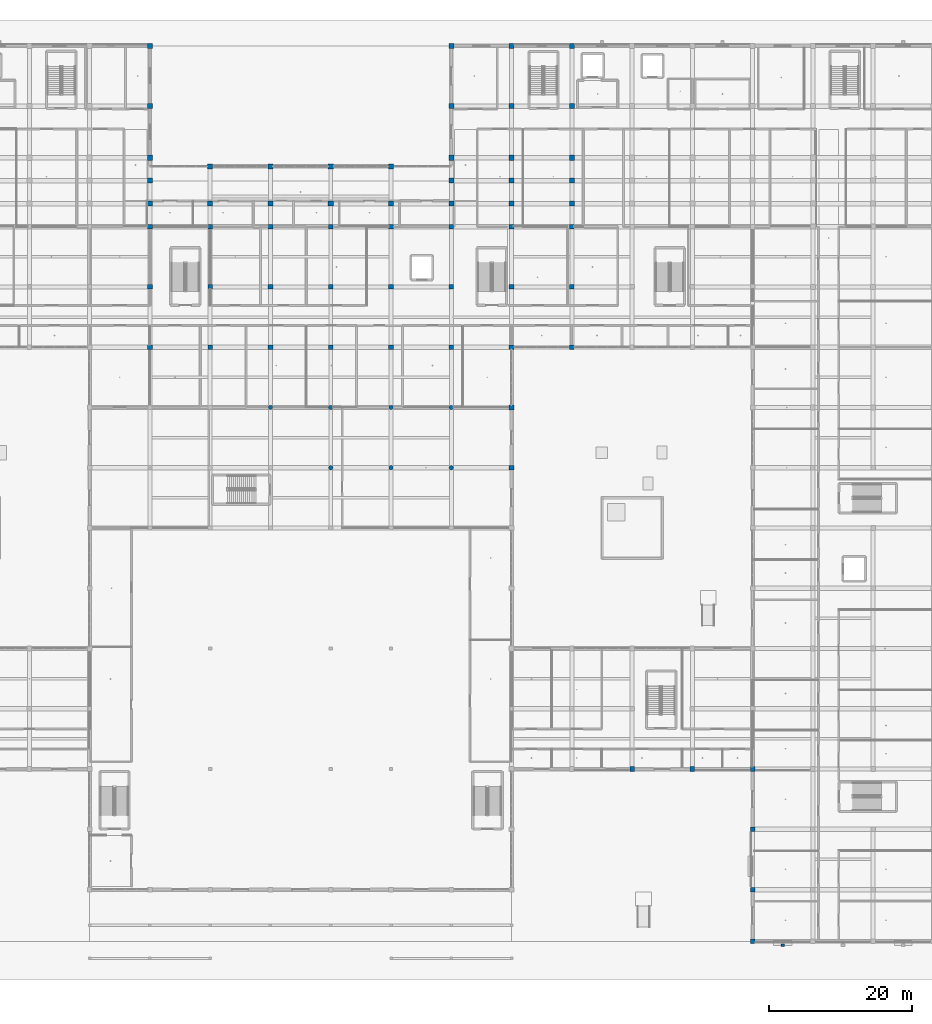
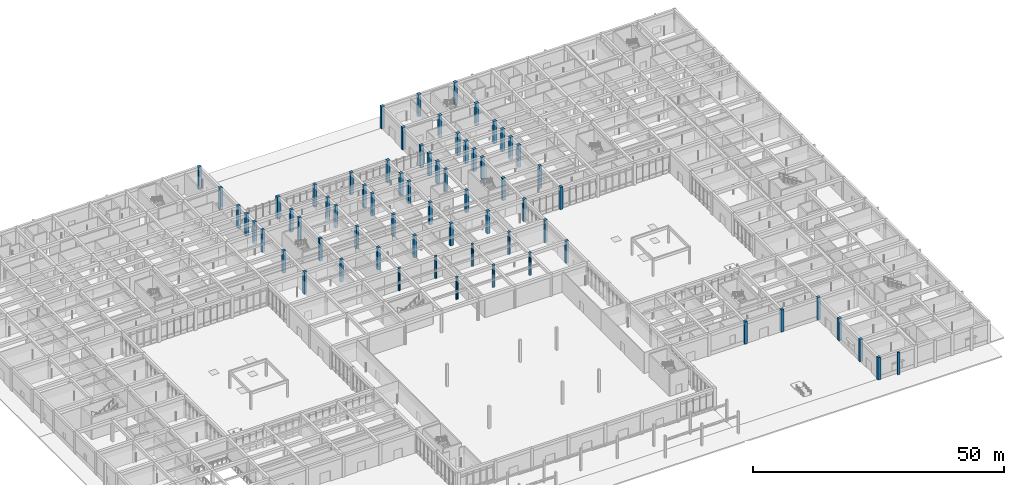
# One storey, part 4 of 167: 68 columns.
"""IFC4 building model written with IfcOpenShell, lengths in metres."""

from ifc_helpers import new_model, si_unit, direction, frame, origin, origin_2d, place, context, subcontext, project, spatial, rectangle, circle, extrude, material, material_profile, profile_set, type_object, element, save


model = new_model("IFC4")

# Units and contexts
model_context = context("Model", 3, precision=1e-05, world=origin(), true_north=direction((0.0, 1.0)))
body_context = subcontext(model_context, "Body", "Model", "MODEL_VIEW")
ifc_project = project(units=[si_unit("LENGTHUNIT", "METRE"), si_unit("AREAUNIT", "SQUARE_METRE"), si_unit("VOLUMEUNIT", "CUBIC_METRE"), si_unit("PLANEANGLEUNIT", "RADIAN"), si_unit("MASSUNIT", "GRAM", prefix="KILO")], contexts=[model_context])

# Site, building, storey
site_placement = place(None, origin())
site = spatial("IfcSite", under=ifc_project, at=site_placement, CompositionType="ELEMENT")
building_placement = place(site_placement, origin())
building = spatial("IfcBuilding", under=site, at=building_placement, Name="Varncliffe General Hospital", CompositionType="ELEMENT")
storey_placement = place(building_placement, origin())
storey = spatial("IfcBuildingStorey", under=building, at=storey_placement, Name="L00", CompositionType="ELEMENT", Elevation=0.0)

# Columns
ifc_material_1 = material(Name="Concrete C40/50 (CSA A23.1 40 MPa)", Category="concrete")
ifc_material_profile_1 = material_profile(ifc_material_1, rectangle(XDim=0.64990234375, YDim=0.64990234375, at=origin_2d()), Name="RC 650x650")
ifc_profile_set_1 = profile_set([ifc_material_profile_1], Name="Concrete C40/50 (CSA A23.1 40 MPa)")
column_type_1 = type_object("IfcColumnType", Name="Column C21 (Ext RC 650x650)", PredefinedType="COLUMN", material=ifc_profile_set_1)
for number, where, z_axis, x_axis, name in (
    (1, (117.60009765625, 66.0, 0.0), (0.0, 0.0, 1.0), (1.0, 0.0, 0.0), "L00 Column C21"),
    (2, (117.60009765625, 74.39990234375, 0.0), (0.0, 0.0, 1.0), (1.0, 0.0, 0.0), "L00 Column C21"),
    (3, (117.60009765625, 82.800048828125, 0.0), (0.0, 0.0, 1.0), (1.0, 0.0, 0.0), "L00 Column C21"),
    (4, (126.0, 82.800048828125, 0.0), (0.0, 0.0, 1.0), (1.0, 0.0, 0.0), "L00 Column C21"),
    (5, (134.39990234375, 24.0, 0.0), (0.0, 0.0, 1.0), (1.0, 0.0, 0.0), "L00 Column C21"),
    (6, (142.800048828125, 24.0, 0.0), (0.0, 0.0, 1.0), (1.0, 0.0, 0.0), "L00 Column C21"),
    (7, (151.199951171875, 0.0, 0.0), (0.0, 0.0, 1.0), (1.0, 0.0, 0.0), "L00 Column C21"),
    (8, (151.199951171875, 7.199951171875, 0.0), (0.0, 0.0, 1.0), (1.0, 0.0, 0.0), "L00 Column C21"),
    (9, (151.199951171875, 15.60009765625, 0.0), (0.0, 0.0, 1.0), (1.0, 0.0, 0.0), "L00 Column C21"),
    (10, (151.199951171875, 24.0, 0.0), (0.0, 0.0, 1.0), (1.0, 0.0, 0.0), "L00 Column C21"),
):
    element("IfcColumn", number, at=place(storey_placement, frame(where, z_axis=z_axis, x_axis=x_axis)), inside=storey, type_object=column_type_1, Name=name, PredefinedType="COLUMN", context=body_context, shape_type="SweptSolid", body=[
        extrude(rectangle(XDim=0.64990234375, YDim=0.64990234375, at=origin_2d()), origin(), (0.0, 0.0, 1.0), 5.39990234375),
    ])
ifc_material_profile_2 = material_profile(ifc_material_1, circle(Radius=0.300048828125, at=origin_2d()), Name="RC D600")
ifc_profile_set_2 = profile_set([ifc_material_profile_2], Name="Concrete C40/50 (CSA A23.1 40 MPa)")
column_type_2 = type_object("IfcColumnType", Name="Column C22 (Int RC D600)", PredefinedType="COLUMN", material=ifc_profile_set_2)
for number, where, z_axis, x_axis, name in (
    (11, (84.0, 74.39990234375, 0.0), (0.0, 0.0, 1.0), (1.0, 0.0, 0.0), "L00 Column C22"),
    (12, (92.39990234375, 66.0, 0.0), (0.0, 0.0, 1.0), (1.0, 0.0, 0.0), "L00 Column C22"),
    (13, (92.39990234375, 74.39990234375, 0.0), (0.0, 0.0, 1.0), (1.0, 0.0, 0.0), "L00 Column C22"),
    (14, (100.800048828125, 66.0, 0.0), (0.0, 0.0, 1.0), (1.0, 0.0, 0.0), "L00 Column C22"),
    (15, (100.800048828125, 74.39990234375, 0.0), (0.0, 0.0, 1.0), (1.0, 0.0, 0.0), "L00 Column C22"),
    (16, (109.199951171875, 66.0, 0.0), (0.0, 0.0, 1.0), (1.0, 0.0, 0.0), "L00 Column C22"),
    (17, (109.199951171875, 74.39990234375, 0.0), (0.0, 0.0, 1.0), (1.0, 0.0, 0.0), "L00 Column C22"),
):
    element("IfcColumn", number, at=place(storey_placement, frame(where, z_axis=z_axis, x_axis=x_axis)), inside=storey, type_object=column_type_2, Name=name, PredefinedType="COLUMN", context=body_context, shape_type="SweptSolid", body=[
        extrude(circle(Radius=0.300048828125, at=origin_2d()), origin(), (0.0, 0.0, 1.0), 5.39990234375),
    ])
ifc_material_profile_3 = material_profile(ifc_material_1, rectangle(XDim=0.64990234375, YDim=0.64990234375, at=origin_2d()), Name="RC 650x650")
ifc_profile_set_3 = profile_set([ifc_material_profile_3], Name="Concrete C40/50 (CSA A23.1 40 MPa)")
column_type_3 = type_object("IfcColumnType", Name="Column C29 (Int RC 650x650)", PredefinedType="COLUMN", material=ifc_profile_set_3)
for number, where, z_axis, x_axis, name in (
    (18, (67.199951171875, 82.800048828125, 0.0), (0.0, 0.0, 1.0), (1.0, 0.0, 0.0), "L00 Column C29"),
    (19, (67.199951171875, 91.199951171875, 0.0), (0.0, 0.0, 1.0), (1.0, 0.0, 0.0), "L00 Column C29"),
    (20, (67.199951171875, 99.60009765625, 0.0), (0.0, 0.0, 1.0), (1.0, 0.0, 0.0), "L00 Column C29"),
    (21, (75.60009765625, 82.800048828125, 0.0), (0.0, 0.0, 1.0), (1.0, 0.0, 0.0), "L00 Column C29"),
    (22, (75.60009765625, 91.199951171875, 0.0), (0.0, 0.0, 1.0), (1.0, 0.0, 0.0), "L00 Column C29"),
    (23, (75.60009765625, 99.60009765625, 0.0), (0.0, 0.0, 1.0), (1.0, 0.0, 0.0), "L00 Column C29"),
    (24, (84.0, 82.800048828125, 0.0), (0.0, 0.0, 1.0), (1.0, 0.0, 0.0), "L00 Column C29"),
    (25, (84.0, 91.199951171875, 0.0), (0.0, 0.0, 1.0), (1.0, 0.0, 0.0), "L00 Column C29"),
    (26, (84.0, 99.60009765625, 0.0), (0.0, 0.0, 1.0), (1.0, 0.0, 0.0), "L00 Column C29"),
    (27, (92.39990234375, 82.800048828125, 0.0), (0.0, 0.0, 1.0), (1.0, 0.0, 0.0), "L00 Column C29"),
    (28, (92.39990234375, 91.199951171875, 0.0), (0.0, 0.0, 1.0), (1.0, 0.0, 0.0), "L00 Column C29"),
    (29, (92.39990234375, 99.60009765625, 0.0), (0.0, 0.0, 1.0), (1.0, 0.0, 0.0), "L00 Column C29"),
    (30, (100.800048828125, 82.800048828125, 0.0), (0.0, 0.0, 1.0), (1.0, 0.0, 0.0), "L00 Column C29"),
    (31, (100.800048828125, 91.199951171875, 0.0), (0.0, 0.0, 1.0), (1.0, 0.0, 0.0), "L00 Column C29"),
    (32, (100.800048828125, 99.60009765625, 0.0), (0.0, 0.0, 1.0), (1.0, 0.0, 0.0), "L00 Column C29"),
    (33, (109.199951171875, 82.800048828125, 0.0), (0.0, 0.0, 1.0), (1.0, 0.0, 0.0), "L00 Column C29"),
    (34, (109.199951171875, 91.199951171875, 0.0), (0.0, 0.0, 1.0), (1.0, 0.0, 0.0), "L00 Column C29"),
    (35, (109.199951171875, 99.60009765625, 0.0), (0.0, 0.0, 1.0), (1.0, 0.0, 0.0), "L00 Column C29"),
    (36, (117.60009765625, 91.199951171875, 0.0), (0.0, 0.0, 1.0), (1.0, 0.0, 0.0), "L00 Column C29"),
    (37, (117.60009765625, 99.60009765625, 0.0), (0.0, 0.0, 1.0), (1.0, 0.0, 0.0), "L00 Column C29"),
    (38, (126.0, 91.199951171875, 0.0), (0.0, 0.0, 1.0), (1.0, 0.0, 0.0), "L00 Column C29"),
    (39, (126.0, 99.60009765625, 0.0), (0.0, 0.0, 1.0), (1.0, 0.0, 0.0), "L00 Column C29"),
):
    element("IfcColumn", number, at=place(storey_placement, frame(where, z_axis=z_axis, x_axis=x_axis)), inside=storey, type_object=column_type_3, Name=name, PredefinedType="COLUMN", context=body_context, shape_type="SweptSolid", body=[
        extrude(rectangle(XDim=0.64990234375, YDim=0.64990234375, at=origin_2d()), origin(), (0.0, 0.0, 1.0), 5.39990234375),
    ])
ifc_material_profile_4 = material_profile(ifc_material_1, rectangle(XDim=0.699951171875, YDim=0.699951171875, at=origin_2d()), Name="RC 700x700")
ifc_profile_set_4 = profile_set([ifc_material_profile_4], Name="Concrete C40/50 (CSA A23.1 40 MPa)")
column_type_4 = type_object("IfcColumnType", Name="Column C50 (Int RC 700x700)", PredefinedType="COLUMN", material=ifc_profile_set_4)
for number, where, z_axis, x_axis, name in (
    (40, (67.199951171875, 102.800048828125, 0.0), (0.0, 0.0, 1.0), (1.0, 0.0, 0.0), "L00 Column C50"),
    (41, (67.199951171875, 106.0, 0.0), (0.0, 0.0, 1.0), (1.0, 0.0, 0.0), "L00 Column C50"),
    (42, (75.60009765625, 102.800048828125, 0.0), (0.0, 0.0, 1.0), (1.0, 0.0, 0.0), "L00 Column C50"),
    (43, (84.0, 102.800048828125, 0.0), (0.0, 0.0, 1.0), (1.0, 0.0, 0.0), "L00 Column C50"),
    (44, (92.39990234375, 102.800048828125, 0.0), (0.0, 0.0, 1.0), (1.0, 0.0, 0.0), "L00 Column C50"),
    (45, (100.800048828125, 102.800048828125, 0.0), (0.0, 0.0, 1.0), (1.0, 0.0, 0.0), "L00 Column C50"),
    (46, (109.199951171875, 102.800048828125, 0.0), (0.0, 0.0, 1.0), (1.0, 0.0, 0.0), "L00 Column C50"),
    (47, (109.199951171875, 106.0, 0.0), (0.0, 0.0, 1.0), (1.0, 0.0, 0.0), "L00 Column C50"),
    (48, (117.60009765625, 102.800048828125, 0.0), (0.0, 0.0, 1.0), (1.0, 0.0, 0.0), "L00 Column C50"),
    (49, (117.60009765625, 106.0, 0.0), (0.0, 0.0, 1.0), (1.0, 0.0, 0.0), "L00 Column C50"),
    (50, (117.60009765625, 109.199951171875, 0.0), (0.0, 0.0, 1.0), (1.0, 0.0, 0.0), "L00 Column C50"),
    (51, (117.60009765625, 116.39990234375, 0.0), (0.0, 0.0, 1.0), (1.0, 0.0, 0.0), "L00 Column C50"),
    (52, (126.0, 102.800048828125, 0.0), (0.0, 0.0, 1.0), (1.0, 0.0, 0.0), "L00 Column C50"),
    (53, (126.0, 106.0, 0.0), (0.0, 0.0, 1.0), (1.0, 0.0, 0.0), "L00 Column C50"),
    (54, (126.0, 109.199951171875, 0.0), (0.0, 0.0, 1.0), (1.0, 0.0, 0.0), "L00 Column C50"),
    (55, (126.0, 116.39990234375, 0.0), (0.0, 0.0, 1.0), (1.0, 0.0, 0.0), "L00 Column C50"),
):
    element("IfcColumn", number, at=place(storey_placement, frame(where, z_axis=z_axis, x_axis=x_axis)), inside=storey, type_object=column_type_4, Name=name, PredefinedType="COLUMN", context=body_context, shape_type="SweptSolid", body=[
        extrude(rectangle(XDim=0.699951171875, YDim=0.699951171875, at=origin_2d()), origin(), (0.0, 0.0, 1.0), 5.39990234375),
    ])
ifc_material_profile_5 = material_profile(ifc_material_1, rectangle(XDim=0.699951171875, YDim=0.699951171875, at=origin_2d()), Name="RC 700x700")
ifc_profile_set_5 = profile_set([ifc_material_profile_5], Name="Concrete C40/50 (CSA A23.1 40 MPa)")
column_type_5 = type_object("IfcColumnType", Name="Column C54 (Ext RC 700x700)", PredefinedType="COLUMN", material=ifc_profile_set_5)
for number, where, z_axis, x_axis, name in (
    (56, (67.199951171875, 109.199951171875, 0.0), (0.0, 0.0, 1.0), (1.0, 0.0, 0.0), "L00 Column C54"),
    (57, (67.199951171875, 116.39990234375, 0.0), (0.0, 0.0, 1.0), (1.0, 0.0, 0.0), "L00 Column C54"),
    (58, (67.199951171875, 124.800048828125, 0.0), (0.0, 0.0, 1.0), (1.0, 0.0, 0.0), "L00 Column C54"),
    (59, (75.60009765625, 108.0, 0.0), (0.0, 0.0, 1.0), (1.0, 0.0, 0.0), "L00 Column C54"),
    (60, (84.0, 108.0, 0.0), (0.0, 0.0, 1.0), (1.0, 0.0, 0.0), "L00 Column C54"),
    (61, (92.39990234375, 108.0, 0.0), (0.0, 0.0, 1.0), (1.0, 0.0, 0.0), "L00 Column C54"),
    (62, (100.800048828125, 108.0, 0.0), (0.0, 0.0, 1.0), (1.0, 0.0, 0.0), "L00 Column C54"),
    (63, (109.199951171875, 109.199951171875, 0.0), (0.0, 0.0, 1.0), (1.0, 0.0, 0.0), "L00 Column C54"),
    (64, (109.199951171875, 116.39990234375, 0.0), (0.0, 0.0, 1.0), (1.0, 0.0, 0.0), "L00 Column C54"),
    (65, (109.199951171875, 124.800048828125, 0.0), (0.0, 0.0, 1.0), (1.0, 0.0, 0.0), "L00 Column C54"),
    (66, (117.60009765625, 124.800048828125, 0.0), (0.0, 0.0, 1.0), (1.0, 0.0, 0.0), "L00 Column C54"),
    (67, (126.0, 124.800048828125, 0.0), (0.0, 0.0, 1.0), (1.0, 0.0, 0.0), "L00 Column C54"),
):
    element("IfcColumn", number, at=place(storey_placement, frame(where, z_axis=z_axis, x_axis=x_axis)), inside=storey, type_object=column_type_5, Name=name, PredefinedType="COLUMN", context=body_context, shape_type="SweptSolid", body=[
        extrude(rectangle(XDim=0.699951171875, YDim=0.699951171875, at=origin_2d()), origin(), (0.0, 0.0, 1.0), 5.39990234375),
    ])
ifc_material_2 = material(Name="Precast concrete C40/50", Category="concrete")
ifc_material_profile_6 = material_profile(ifc_material_2, rectangle(XDim=0.5, YDim=0.320068359375, at=origin_2d()), Name="PIL 500x320")
ifc_profile_set_6 = profile_set([ifc_material_profile_6], Name="Precast concrete C40/50")
column_type_6 = type_object("IfcColumnType", Name="Pilaster PL14 (PIL 500x320)", PredefinedType="PILASTER", material=ifc_profile_set_6)
column_placement = place(storey_placement, frame((155.39990234375, -0.550048828125, 0.0), z_axis=(0.0, 0.0, 1.0), x_axis=(1.0, 0.0, 0.0)))
element("IfcColumn", 68, at=column_placement, inside=storey, type_object=column_type_6, Name="L00 Facade Pilaster PL14-1", PredefinedType="PILASTER", context=body_context, shape_type="SweptSolid", body=[
    extrude(rectangle(XDim=0.5, YDim=0.320068359375, at=origin_2d()), origin(), (0.0, 0.0, 1.0), 5.39990234375),
])

save(model, "model.ifc")
